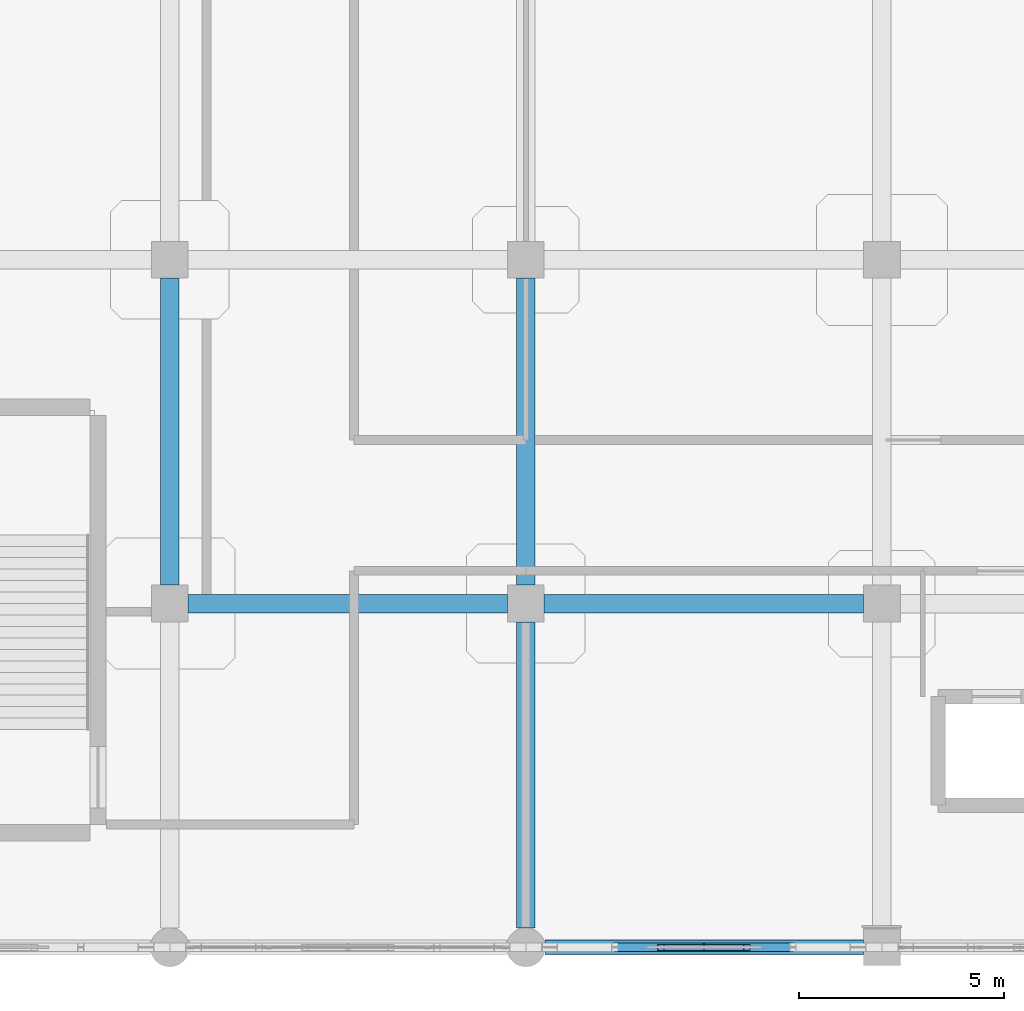
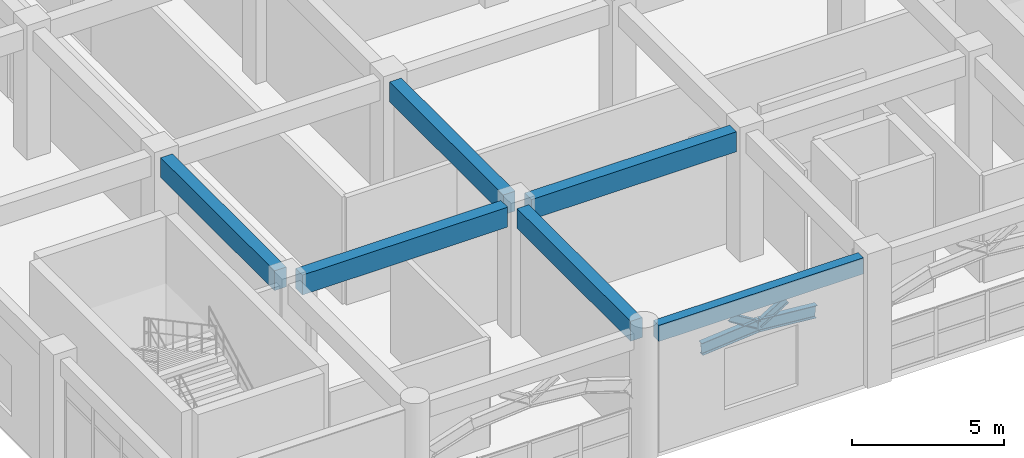
# One storey, part 29 of 114: 8 beams, 2 members.
"""IFC4 building model written with IfcOpenShell, lengths in metres."""

from ifc_helpers import new_model, si_unit, derived_unit, direction, frame, origin, origin_2d, place, context, subcontext, project, spatial, rectangle, i_section, extrude, material, material_profile, profile_set, type_object, element, save


model = new_model("IFC4")

# Units and contexts
model_context = context("Model", 3, precision=1e-05, world=origin(), true_north=direction((0.0, 1.0)))
body_context = subcontext(model_context, "Body", "Model", "MODEL_VIEW")
ifc_project = project(units=[si_unit("LENGTHUNIT", "METRE"), si_unit("AREAUNIT", "SQUARE_METRE"), si_unit("VOLUMEUNIT", "CUBIC_METRE"), si_unit("PLANEANGLEUNIT", "RADIAN"), si_unit("MASSUNIT", "GRAM", prefix="KILO"), derived_unit("THERMALTRANSMITTANCEUNIT", [(si_unit("MASSUNIT", "GRAM", prefix="KILO"), 1), (si_unit("TIMEUNIT", "SECOND"), -3), (si_unit("THERMODYNAMICTEMPERATUREUNIT", "KELVIN"), -1)])], contexts=[model_context])

# Site, building, storey
site_placement = place(None, origin())
site = spatial("IfcSite", under=ifc_project, at=site_placement, CompositionType="ELEMENT")
building_placement = place(site_placement, origin())
building = spatial("IfcBuilding", under=site, at=building_placement, Name="Qinzheling Arcade Emporium", CompositionType="ELEMENT")
storey_placement = place(building_placement, frame((0.0, 0.0, 6.0)))
storey = spatial("IfcBuildingStorey", under=building, at=storey_placement, Name="L02", CompositionType="ELEMENT", Elevation=6.0)

# Beams
ifc_material_1 = material(Name="Weathering steel Q355NH", Category="steel")
ifc_material_profile_1 = material_profile(ifc_material_1, i_section(OverallWidth=0.199951171875, OverallDepth=0.5, WebThickness=0.010009765625, FlangeThickness=0.01611328125, FilletRadius=0.01806640625, at=origin_2d()), Name="HN 500x200x10x16", Category="steel")
ifc_profile_set_1 = profile_set([ifc_material_profile_1], Name="Weathering steel Q355NH")
beam_type_1 = type_object("IfcBeamType", Name="Arcade End Arch Rib HN500 Q355NH", PredefinedType="BEAM", material=ifc_profile_set_1)
beam_1_placement = place(storey_placement, frame((123.97509765625, 0.0, 3.493896484375), z_axis=(0.996159167113, 0.0, 0.087560914667), x_axis=(0.0, 1.0, 0.0)))
element("IfcBeam", 1, at=beam_1_placement, inside=storey, type_object=beam_type_1, Name="Street Entrance Arch ARC-L02-S08-C03", PredefinedType="BEAM", context=body_context, shape_type="SweptSolid", body=[
    extrude(i_section(OverallWidth=0.199951171875, OverallDepth=0.5, WebThickness=0.010009765625, FlangeThickness=0.01611328125, FilletRadius=0.01806640625, at=origin_2d()), origin(), (0.0, 0.0, 1.0), 2.18310546875),
])
beam_2_placement = place(storey_placement, frame((126.14990234375, 0.0, 3.68505859375), z_axis=(0.996160024341, 0.0, -0.087551161641), x_axis=(0.0, 1.0, 0.0)))
element("IfcBeam", 2, at=beam_2_placement, inside=storey, type_object=beam_type_1, Name="Street Entrance Arch ARC-L02-S08-C04", PredefinedType="BEAM", context=body_context, shape_type="SweptSolid", body=[
    extrude(i_section(OverallWidth=0.199951171875, OverallDepth=0.5, WebThickness=0.010009765625, FlangeThickness=0.01611328125, FilletRadius=0.01806640625, at=origin_2d()), origin(), (0.0, 0.0, 1.0), 2.183349609375),
])

# Members
ifc_material_profile_2 = material_profile(ifc_material_1, i_section(OverallWidth=0.14990234375, OverallDepth=0.300048828125, WebThickness=0.006591796875, FlangeThickness=0.009033203125, FilletRadius=0.012939453125, at=origin_2d()), Name="HN 300x150x6.5x9", Category="steel")
ifc_profile_set_2 = profile_set([ifc_material_profile_2], Name="Weathering steel Q355NH")
member_type = type_object("IfcMemberType", Name="Arcade Spandrel Web Chord HN300 Q355NH", PredefinedType="CHORD", material=ifc_profile_set_2)
member_1_placement = place(storey_placement, frame((126.14990234375, 0.0, 3.695068359375), z_axis=(-0.853880124948, 0.0, 0.520469722672), x_axis=(0.0, -1.0, 0.0)))
element("IfcMember", 3, at=member_1_placement, inside=storey, type_object=member_type, Name="Street Spandrel Web Chord ASW-L02-S08-W1", PredefinedType="CHORD", context=body_context, shape_type="SweptSolid", body=[
    extrude(i_section(OverallWidth=0.14990234375, OverallDepth=0.300048828125, WebThickness=0.006591796875, FlangeThickness=0.009033203125, FilletRadius=0.012939453125, at=origin_2d()), origin(), (0.0, 0.0, 1.0), 1.2294921875),
])
member_2_placement = place(storey_placement, frame((126.14990234375, 0.0, 3.695068359375), z_axis=(0.85393390348, 0.0, 0.520381483613), x_axis=(0.0, 1.0, 0.0)))
element("IfcMember", 4, at=member_2_placement, inside=storey, type_object=member_type, Name="Street Spandrel Web Chord ASW-L02-S08-W2", PredefinedType="CHORD", context=body_context, shape_type="SweptSolid", body=[
    extrude(i_section(OverallWidth=0.14990234375, OverallDepth=0.300048828125, WebThickness=0.006591796875, FlangeThickness=0.009033203125, FilletRadius=0.012939453125, at=origin_2d()), origin(), (0.0, 0.0, 1.0), 1.229736328125),
])

# Beams
ifc_material_2 = material(Name="Concrete C40", Category="concrete")
ifc_material_profile_3 = material_profile(ifc_material_2, rectangle(XDim=0.449951171875, YDim=0.800048828125, at=origin_2d()), Name="RC 450x800", Category="concrete")
ifc_profile_set_3 = profile_set([ifc_material_profile_3], Name="Concrete C40")
beam_type_2 = type_object("IfcBeamType", Name="RC Primary Frame Beam 450x800 C40", PredefinedType="BEAM", material=ifc_profile_set_3)
for number, where, z_axis, x_axis, name in (
    (5, (113.550048828125, 8.39990234375, 4.719970703125), (1.0, 0.0, 0.0), (0.0, 1.0, 0.0), "Beam BM-L02-X-B-14"),
    (6, (122.25, 8.39990234375, 4.705078125), (1.0, 0.0, 0.0), (0.0, 1.0, 0.0), "Beam BM-L02-X-B-15"),
):
    element("IfcBeam", number, at=place(storey_placement, frame(where, z_axis=z_axis, x_axis=x_axis)), inside=storey, type_object=beam_type_2, Name=name, PredefinedType="BEAM", context=body_context, shape_type="SweptSolid", body=[
        extrude(rectangle(XDim=0.449951171875, YDim=0.800048828125, at=origin_2d()), origin(), (0.0, 0.0, 1.0), 7.800048828125),
    ])
beam_3_placement = place(storey_placement, frame((113.10009765625, 8.85009765625, 4.719970703125), z_axis=(0.0, 1.0, 0.0), x_axis=(-1.0, 0.0, 0.0)))
element("IfcBeam", 7, at=beam_3_placement, inside=storey, type_object=beam_type_2, Name="Beam BM-L02-Y-14-B", PredefinedType="BEAM", context=body_context, shape_type="SweptSolid", body=[
    extrude(rectangle(XDim=0.449951171875, YDim=0.800048828125, at=origin_2d()), origin(), (0.0, 0.0, 1.0), 7.5),
])
beam_4_placement = place(storey_placement, frame((121.800048828125, 0.47509765625, 4.719970703125), z_axis=(0.0, 1.0, 0.0), x_axis=(-1.0, 0.0, 0.0)))
element("IfcBeam", 8, at=beam_4_placement, inside=storey, type_object=beam_type_2, Name="Beam BM-L02-Y-15-A", PredefinedType="BEAM", context=body_context, shape_type="SweptSolid", body=[
    extrude(rectangle(XDim=0.449951171875, YDim=0.800048828125, at=origin_2d()), origin(), (0.0, 0.0, 1.0), 7.474853515625),
])
beam_5_placement = place(storey_placement, frame((121.800048828125, 8.85009765625, 4.719970703125), z_axis=(0.0, 1.0, 0.0), x_axis=(-1.0, 0.0, 0.0)))
element("IfcBeam", 9, at=beam_5_placement, inside=storey, type_object=beam_type_2, Name="Beam BM-L02-Y-15-B", PredefinedType="BEAM", context=body_context, shape_type="SweptSolid", body=[
    extrude(rectangle(XDim=0.449951171875, YDim=0.800048828125, at=origin_2d()), origin(), (0.0, 0.0, 1.0), 7.5),
])
ifc_material_profile_4 = material_profile(ifc_material_2, rectangle(XDim=0.35009765625, YDim=0.64990234375, at=origin_2d()), Name="RC 350x650", Category="concrete")
ifc_profile_set_4 = profile_set([ifc_material_profile_4], Name="Concrete C40")
beam_type_3 = type_object("IfcBeamType", Name="RC Spandrel Edge Beam 350x650 C40", PredefinedType="SPANDREL", material=ifc_profile_set_4)
beam_6_placement = place(storey_placement, frame((122.27490234375, 0.0, 4.780029296875), z_axis=(1.0, 0.0, 0.0), x_axis=(0.0, 1.0, 0.0)))
element("IfcBeam", 10, at=beam_6_placement, inside=storey, type_object=beam_type_3, Name="Beam BM-L02-X-A-15", PredefinedType="SPANDREL", context=body_context, shape_type="SweptSolid", body=[
    extrude(rectangle(XDim=0.35009765625, YDim=0.64990234375, at=origin_2d()), origin(), (0.0, 0.0, 1.0), 7.775146484375),
])

save(model, "model.ifc")
